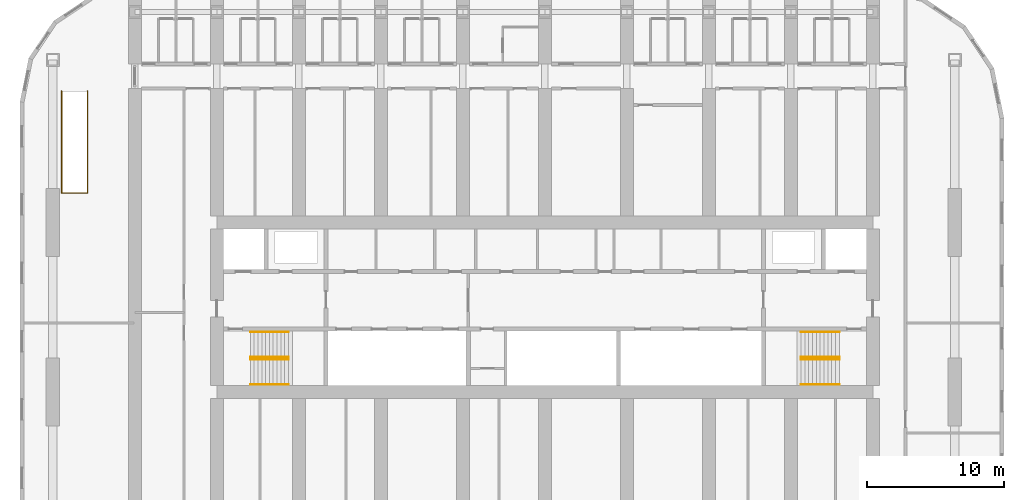
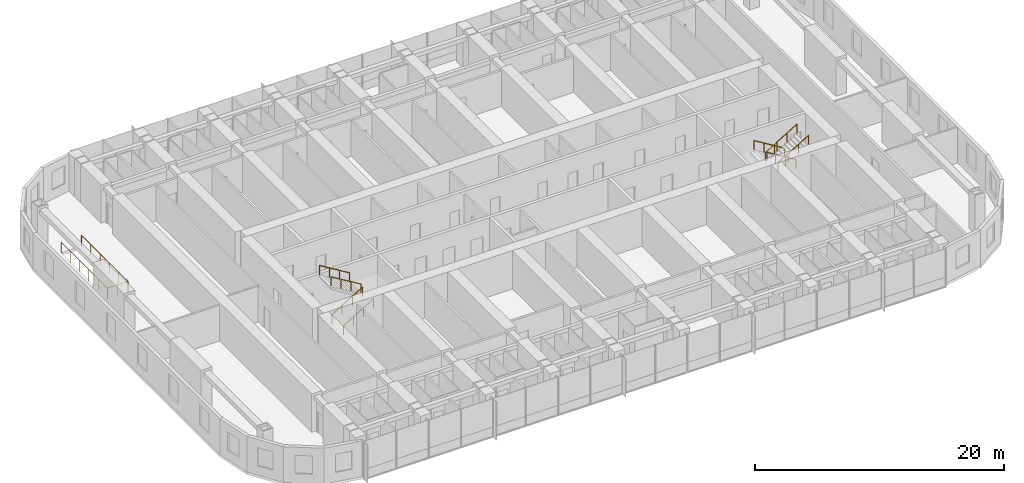
# One storey, part 22 of 22: 9 railings.
"""IFC4 building model written with IfcOpenShell, lengths in metres."""

from ifc_helpers import new_model, si_unit, direction, frame, origin, origin_2d, place, context, subcontext, project, spatial, circle, extrude, material, type_object, element, save


model = new_model("IFC4")

# Units and contexts
model_context = context("Model", 3, precision=1e-05, world=origin(), true_north=direction((0.0, 1.0)))
body_context = subcontext(model_context, "Body", "Model", "MODEL_VIEW")
ifc_project = project(units=[si_unit("LENGTHUNIT", "METRE"), si_unit("AREAUNIT", "SQUARE_METRE"), si_unit("VOLUMEUNIT", "CUBIC_METRE"), si_unit("PLANEANGLEUNIT", "RADIAN"), si_unit("MASSUNIT", "GRAM", prefix="KILO")], contexts=[model_context])

# Site, building, storey
site_placement = place(None, origin())
site = spatial("IfcSite", under=ifc_project, at=site_placement, CompositionType="ELEMENT")
building_placement = place(site_placement, origin())
building = spatial("IfcBuilding", under=site, at=building_placement, Name="Orbita Commons", CompositionType="ELEMENT")
storey_placement = place(building_placement, frame((0.0, 0.0, 118.14990234375)))
storey = spatial("IfcBuildingStorey", under=building, at=storey_placement, Name="L29", CompositionType="ELEMENT", Elevation=118.14990234375)

# Railings
ifc_material_1 = material(Name="Steel tube, painted", Category="steel")
railing_type_1 = type_object("IfcRailingType", Name="Stair handrail steel tube 900", PredefinedType="HANDRAIL", material=ifc_material_1)
for number, where, name in (
    (1, (20.449951171875, 28.1650390625, 0.170654296875), "Stair S1 handrail L29 flight 1"),
    (2, (20.449951171875, 26.3349609375, 0.170654296875), "Stair S1 handrail L29 flight 1"),
):
    element("IfcRailing", number, at=place(storey_placement, frame(where)), inside=storey, type_object=railing_type_1, Name=name, PredefinedType="HANDRAIL", context=body_context, shape_type="SweptSolid", body=[
        extrude(circle(Radius=0.02099609375, at=origin_2d()), frame((0.0, 0.0, 0.87890625), z_axis=(0.854202870247, 0.0, 0.519939858505), x_axis=(0.0, 1.0, 0.0)), (0.0, 0.0, 1.0), 3.278076171875),
        extrude(circle(Radius=0.02001953125, at=origin_2d()), origin(), (0.0, 0.0, 1.0), 0.85791015625),
        extrude(circle(Radius=0.02001953125, at=origin_2d()), frame((0.933349609375, 0.0, 0.568115234375)), (0.0, 0.0, 1.0), 0.85791015625),
        extrude(circle(Radius=0.02001953125, at=origin_2d()), frame((1.86669921875, 0.0, 1.13623046875)), (0.0, 0.0, 1.0), 0.85791015625),
        extrude(circle(Radius=0.02001953125, at=origin_2d()), frame((2.800048828125, 0.0, 1.704345703125)), (0.0, 0.0, 1.0), 0.85791015625),
    ])
for number, where, name in (
    (3, (23.25, 28.360107421875, 2.045654296875), "Stair S1 handrail L29 flight 2"),
    (4, (23.25, 30.18994140625, 2.045654296875), "Stair S1 handrail L29 flight 2"),
    (5, (63.550048828125, 28.360107421875, 0.170654296875), "Stair S2 handrail L29 flight 1"),
    (6, (63.550048828125, 30.18994140625, 0.170654296875), "Stair S2 handrail L29 flight 1"),
):
    element("IfcRailing", number, at=place(storey_placement, frame(where)), inside=storey, type_object=railing_type_1, Name=name, PredefinedType="HANDRAIL", context=body_context, shape_type="SweptSolid", body=[
        extrude(circle(Radius=0.02099609375, at=origin_2d()), frame((0.0, 0.0, 0.87890625), z_axis=(-0.854202870247, 0.0, 0.519939858505), x_axis=(0.0, -1.0, 0.0)), (0.0, 0.0, 1.0), 3.278076171875),
        extrude(circle(Radius=0.02001953125, at=origin_2d()), origin(), (0.0, 0.0, 1.0), 0.85791015625),
        extrude(circle(Radius=0.02001953125, at=origin_2d()), frame((-0.933349609375, 0.0, 0.568115234375)), (0.0, 0.0, 1.0), 0.85791015625),
        extrude(circle(Radius=0.02001953125, at=origin_2d()), frame((-1.86669921875, 0.0, 1.13623046875)), (0.0, 0.0, 1.0), 0.85791015625),
        extrude(circle(Radius=0.02001953125, at=origin_2d()), frame((-2.800048828125, 0.0, 1.704345703125)), (0.0, 0.0, 1.0), 0.85791015625),
    ])
for number, where, name in (
    (7, (60.75, 28.1650390625, 2.045654296875), "Stair S2 handrail L29 flight 2"),
    (8, (60.75, 26.3349609375, 2.045654296875), "Stair S2 handrail L29 flight 2"),
):
    element("IfcRailing", number, at=place(storey_placement, frame(where)), inside=storey, type_object=railing_type_1, Name=name, PredefinedType="HANDRAIL", context=body_context, shape_type="SweptSolid", body=[
        extrude(circle(Radius=0.02099609375, at=origin_2d()), frame((0.0, 0.0, 0.87890625), z_axis=(0.854202870247, 0.0, 0.519939858505), x_axis=(0.0, 1.0, 0.0)), (0.0, 0.0, 1.0), 3.278076171875),
        extrude(circle(Radius=0.02001953125, at=origin_2d()), origin(), (0.0, 0.0, 1.0), 0.85791015625),
        extrude(circle(Radius=0.02001953125, at=origin_2d()), frame((0.933349609375, 0.0, 0.568115234375)), (0.0, 0.0, 1.0), 0.85791015625),
        extrude(circle(Radius=0.02001953125, at=origin_2d()), frame((1.86669921875, 0.0, 1.13623046875)), (0.0, 0.0, 1.0), 0.85791015625),
        extrude(circle(Radius=0.02001953125, at=origin_2d()), frame((2.800048828125, 0.0, 1.704345703125)), (0.0, 0.0, 1.0), 0.85791015625),
    ])
ifc_material_2 = material(Name="Laminated glass on steel posts", Category="steel")
railing_type_2 = type_object("IfcRailingType", Name="Void guard, glass on steel posts 1100", PredefinedType="GUARDRAIL", material=ifc_material_2)
railing_placement = place(storey_placement, frame((6.64990234375, 47.800048828125, 0.0)))
element("IfcRailing", 9, at=railing_placement, inside=storey, type_object=railing_type_2, Name="Void guard L29", PredefinedType="GUARDRAIL", context=body_context, shape_type="SweptSolid", body=[
    extrude(circle(Radius=0.02490234375, at=origin_2d()), frame((0.0, 0.0, 1.0751953125), z_axis=(0.0, -1.0, 0.0), x_axis=(1.0, 0.0, 0.0)), (0.0, 0.0, 1.0), 7.449951171875),
    extrude(circle(Radius=0.02490234375, at=origin_2d()), frame((0.0, -7.449951171875, 1.0751953125), z_axis=(1.0, 0.0, 0.0), x_axis=(0.0, 1.0, 0.0)), (0.0, 0.0, 1.0), 1.900146484375),
    extrude(circle(Radius=0.02490234375, at=origin_2d()), frame((1.900146484375, -7.449951171875, 1.0751953125), z_axis=(0.0, 1.0, 0.0), x_axis=(-1.0, 0.0, 0.0)), (0.0, 0.0, 1.0), 7.449951171875),
    extrude(circle(Radius=0.02490234375, at=origin_2d()), origin(), (0.0, 0.0, 1.0), 1.050048828125),
    extrude(circle(Radius=0.02490234375, at=origin_2d()), frame((0.0, -1.489990234375, 0.0)), (0.0, 0.0, 1.0), 1.050048828125),
    extrude(circle(Radius=0.02490234375, at=origin_2d()), frame((0.0, -2.97998046875, 0.0)), (0.0, 0.0, 1.0), 1.050048828125),
    extrude(circle(Radius=0.02490234375, at=origin_2d()), frame((0.0, -4.469970703125, 0.0)), (0.0, 0.0, 1.0), 1.050048828125),
    extrude(circle(Radius=0.02490234375, at=origin_2d()), frame((0.0, -5.9599609375, 0.0)), (0.0, 0.0, 1.0), 1.050048828125),
    extrude(circle(Radius=0.02490234375, at=origin_2d()), frame((0.0, -7.449951171875, 0.0)), (0.0, 0.0, 1.0), 1.050048828125),
    extrude(circle(Radius=0.02490234375, at=origin_2d()), frame((0.9501953125, -7.449951171875, 0.0)), (0.0, 0.0, 1.0), 1.050048828125),
    extrude(circle(Radius=0.02490234375, at=origin_2d()), frame((1.900146484375, -7.449951171875, 0.0)), (0.0, 0.0, 1.0), 1.050048828125),
    extrude(circle(Radius=0.02490234375, at=origin_2d()), frame((1.900146484375, -5.9599609375, 0.0)), (0.0, 0.0, 1.0), 1.050048828125),
    extrude(circle(Radius=0.02490234375, at=origin_2d()), frame((1.900146484375, -4.469970703125, 0.0)), (0.0, 0.0, 1.0), 1.050048828125),
    extrude(circle(Radius=0.02490234375, at=origin_2d()), frame((1.900146484375, -2.97998046875, 0.0)), (0.0, 0.0, 1.0), 1.050048828125),
    extrude(circle(Radius=0.02490234375, at=origin_2d()), frame((1.900146484375, -1.489990234375, 0.0)), (0.0, 0.0, 1.0), 1.050048828125),
    extrude(circle(Radius=0.02490234375, at=origin_2d()), frame((1.900146484375, 0.0, 0.0)), (0.0, 0.0, 1.0), 1.050048828125),
])

save(model, "model.ifc")
